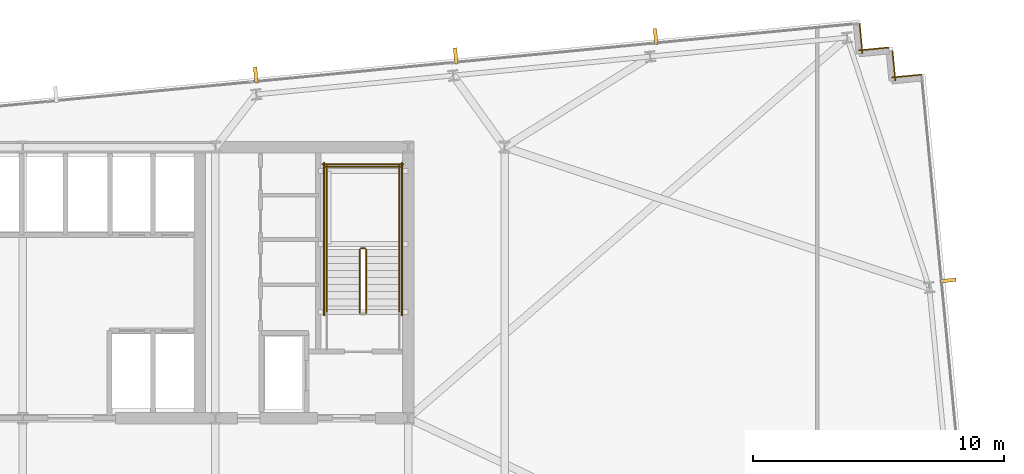
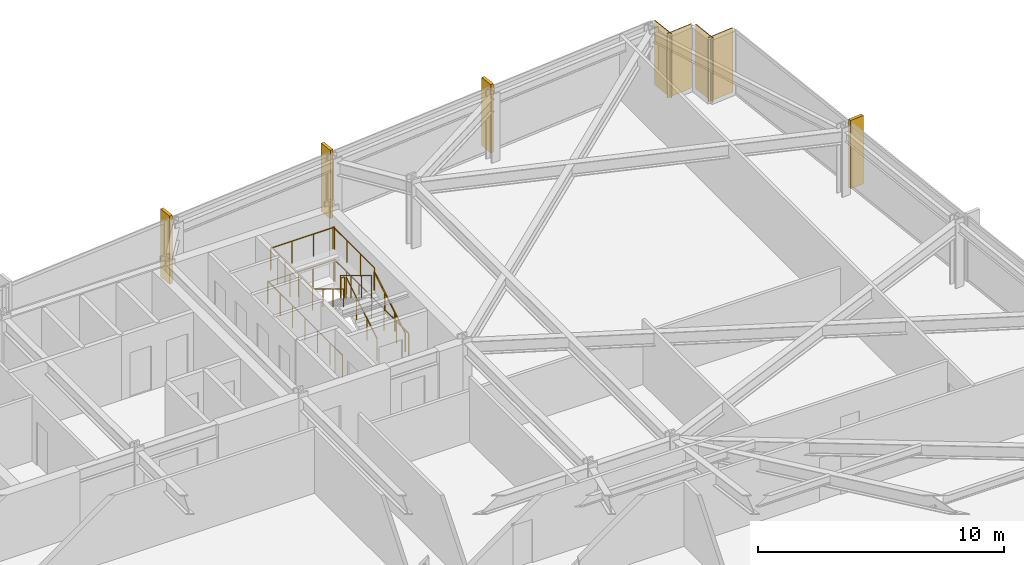
# One storey, part 32 of 32: 11 railings, 4 coverings, 4 shading devices.
"""IFC4 building model written with IfcOpenShell, lengths in metres."""

from ifc_helpers import new_model, si_unit, direction, frame, frame_2d, origin, origin_2d, place, context, subcontext, project, spatial, rectangle, circle, extrude, material, layer, layer_set, type_object, element, save


model = new_model("IFC4")

# Units and contexts
model_context = context("Model", 3, precision=1e-05, world=origin(), true_north=direction((0.0, 1.0)))
body_context = subcontext(model_context, "Body", "Model", "MODEL_VIEW")
ifc_project = project(units=[si_unit("LENGTHUNIT", "METRE"), si_unit("AREAUNIT", "SQUARE_METRE"), si_unit("VOLUMEUNIT", "CUBIC_METRE"), si_unit("PLANEANGLEUNIT", "RADIAN"), si_unit("MASSUNIT", "GRAM", prefix="KILO")], contexts=[model_context])

# Site, building, storey
site_placement = place(None, origin())
site = spatial("IfcSite", under=ifc_project, at=site_placement, CompositionType="ELEMENT")
building_placement = place(site_placement, origin())
building = spatial("IfcBuilding", under=site, at=building_placement, Name="Yelkora Congress Tower", CompositionType="ELEMENT")
storey_placement = place(building_placement, frame((0.0, 0.0, 103.300048828125)))
storey = spatial("IfcBuildingStorey", under=building, at=storey_placement, Name="L27", CompositionType="ELEMENT", Elevation=103.300048828125)

# Coverings
ifc_material_1 = material(Name="Anatolian bush-hammered limestone", Category="masonry")
ifc_layer_1 = layer(ifc_material_1, 0.0400390625)
ifc_layer_set_1 = layer_set([ifc_layer_1], Name="Anatolian bush-hammered limestone")
covering_type = type_object("IfcCoveringType", Name="COV-CLAD-SPANDREL-40", PredefinedType="CLADDING", material=ifc_layer_set_1)
for number, where, z_axis, x_axis, name in (
    (1, (71.74609375, 51.1279296875, 0.0), (0.0, 0.0, 1.0), (0.095817067274, -0.995398960025, 0.0), "L27 Anatolian Limestone Cladding EW-L27-SR11"),
    (2, (71.7138671875, 50.0546875, 0.0), (0.0, 0.0, 1.0), (0.995379537303, 0.096018626938, 0.0), "L27 Anatolian Limestone Cladding EW-L27-SR12"),
):
    element("IfcCovering", number, at=place(storey_placement, frame(where, z_axis=z_axis, x_axis=x_axis)), inside=storey, type_object=covering_type, Name=name, PredefinedType="CLADDING", context=body_context, shape_type="SweptSolid", body=[
        extrude(rectangle(XDim=1.2001953125, YDim=0.0400390625, at=frame_2d((0.60009765625, 0.0))), origin(), (0.0, 0.0, 1.0), 3.179931640625),
    ])
covering_1_placement = place(storey_placement, frame((73.0556640625, 50.04833984375, 0.0), z_axis=(0.0, 0.0, 1.0), x_axis=(0.095836473879, -0.995397091755, 0.0)))
element("IfcCovering", 3, at=covering_1_placement, inside=storey, type_object=covering_type, Name="L27 Anatolian Limestone Cladding EW-L27-SR13", PredefinedType="CLADDING", context=body_context, shape_type="SweptSolid", body=[
    extrude(rectangle(XDim=1.199951171875, YDim=0.0400390625, at=frame_2d((0.60009765625, 0.0))), origin(), (0.0, 0.0, 1.0), 3.179931640625),
])
covering_2_placement = place(storey_placement, frame((73.0234375, 48.975341796875, 0.0), z_axis=(0.0, 0.0, 1.0), x_axis=(0.995398960025, 0.095817067274, 0.0)))
element("IfcCovering", 4, at=covering_2_placement, inside=storey, type_object=covering_type, Name="L27 Anatolian Limestone Cladding EW-L27-SR14", PredefinedType="CLADDING", context=body_context, shape_type="SweptSolid", body=[
    extrude(rectangle(XDim=1.2001953125, YDim=0.0400390625, at=frame_2d((0.60009765625, 0.0))), origin(), (0.0, 0.0, 1.0), 3.179931640625),
])

# Railings
ifc_material_2 = material(Name="Painted galvanised steel stair well guard with vertical infill", Category="steel")
ifc_layer_2 = layer(ifc_material_2, 0.06005859375)
ifc_layer_set_2 = layer_set([ifc_layer_2], Name="Painted galvanised steel stair well guard with vertical infill")
railing_type_1 = type_object("IfcRailingType", Name="RAIL-STAIR-GUARD-1120", PredefinedType="GUARDRAIL", material=ifc_layer_set_2)
railing_1_placement = place(storey_placement, frame((52.090087890625, 39.60009765625, 0.169921875)))
element("IfcRailing", 5, at=railing_1_placement, inside=storey, type_object=railing_type_1, Name="ST-02 L27 Stair Well Guardrail 1", PredefinedType="GUARDRAIL", context=body_context, shape_type="SweptSolid", body=[
    extrude(circle(Radius=0.02392578125, at=origin_2d()), frame((0.0, 0.0, 1.09619140625), z_axis=(0.0, 0.85478489116, 0.518982456201), x_axis=(-1.0, 0.0, 0.0)), (0.0, 0.0, 1.0), 2.9482421875),
    extrude(circle(Radius=0.02099609375, at=origin_2d()), origin(), (0.0, 0.0, 1.0), 1.072021484375),
    extrude(circle(Radius=0.02099609375, at=origin_2d()), frame((0.0, 0.840087890625, 0.510009765625)), (0.0, 0.0, 1.0), 1.072021484375),
    extrude(circle(Radius=0.02099609375, at=origin_2d()), frame((0.0, 1.679931640625, 1.02001953125)), (0.0, 0.0, 1.0), 1.072021484375),
    extrude(circle(Radius=0.02099609375, at=origin_2d()), frame((0.0, 2.52001953125, 1.530029296875)), (0.0, 0.0, 1.0), 1.072021484375),
])
railing_2_placement = place(storey_placement, frame((52.0400390625, 42.169921875, 1.699951171875)))
element("IfcRailing", 6, at=railing_2_placement, inside=storey, type_object=railing_type_1, Name="ST-02 L27 Stair Well Guardrail 2", PredefinedType="GUARDRAIL", context=body_context, shape_type="SweptSolid", body=[
    extrude(circle(Radius=0.02392578125, at=origin_2d()), frame((0.0, 0.0, 1.09619140625), z_axis=(-1.0, 0.0, 0.0), x_axis=(0.0, -1.0, 0.0)), (0.0, 0.0, 1.0), 0.16015625),
    extrude(circle(Radius=0.02099609375, at=origin_2d()), origin(), (0.0, 0.0, 1.0), 1.072021484375),
    extrude(circle(Radius=0.02099609375, at=origin_2d()), frame((-0.16015625, 0.0, 0.0)), (0.0, 0.0, 1.0), 1.072021484375),
])
for number, where, name in (
    (7, (53.409912109375, 42.1201171875, 1.699951171875), "ST-02 L27 Stair Well Guardrail 3"),
    (8, (50.510009765625, 42.1201171875, 1.699951171875), "ST-02 L27 Stair Well Guardrail 4"),
):
    element("IfcRailing", number, at=place(storey_placement, frame(where)), inside=storey, type_object=railing_type_1, Name=name, PredefinedType="GUARDRAIL", context=body_context, shape_type="SweptSolid", body=[
        extrude(circle(Radius=0.02392578125, at=origin_2d()), frame((0.0, 0.0, 1.09619140625), z_axis=(0.0, 1.0, 0.0), x_axis=(-1.0, 0.0, 0.0)), (0.0, 0.0, 1.0), 3.349853515625),
        extrude(circle(Radius=0.02099609375, at=origin_2d()), origin(), (0.0, 0.0, 1.0), 1.072021484375),
        extrude(circle(Radius=0.02099609375, at=origin_2d()), frame((0.0, 1.11669921875, 0.0)), (0.0, 0.0, 1.0), 1.072021484375),
        extrude(circle(Radius=0.02099609375, at=origin_2d()), frame((0.0, 2.233154296875, 0.0)), (0.0, 0.0, 1.0), 1.072021484375),
        extrude(circle(Radius=0.02099609375, at=origin_2d()), frame((0.0, 3.349853515625, 0.0)), (0.0, 0.0, 1.0), 1.072021484375),
    ])
railing_3_placement = place(storey_placement, frame((53.4599609375, 45.419921875, 1.699951171875)))
element("IfcRailing", 9, at=railing_3_placement, inside=storey, type_object=railing_type_1, Name="ST-02 L27 Stair Well Guardrail 5", PredefinedType="GUARDRAIL", context=body_context, shape_type="SweptSolid", body=[
    extrude(circle(Radius=0.02392578125, at=origin_2d()), frame((0.0, 0.0, 1.09619140625), z_axis=(-1.0, 0.0, 0.0), x_axis=(0.0, -1.0, 0.0)), (0.0, 0.0, 1.0), 3.0),
    extrude(circle(Radius=0.02099609375, at=origin_2d()), origin(), (0.0, 0.0, 1.0), 1.072021484375),
    extrude(circle(Radius=0.02099609375, at=origin_2d()), frame((-1.0, 0.0, 0.0)), (0.0, 0.0, 1.0), 1.072021484375),
    extrude(circle(Radius=0.02099609375, at=origin_2d()), frame((-2.0, 0.0, 0.0)), (0.0, 0.0, 1.0), 1.072021484375),
    extrude(circle(Radius=0.02099609375, at=origin_2d()), frame((-3.0, 0.0, 0.0)), (0.0, 0.0, 1.0), 1.072021484375),
])
railing_4_placement = place(storey_placement, frame((51.830078125, 42.1201171875, 1.869873046875)))
element("IfcRailing", 10, at=railing_4_placement, inside=storey, type_object=railing_type_1, Name="ST-02 L27 Stair Well Guardrail 6", PredefinedType="GUARDRAIL", context=body_context, shape_type="SweptSolid", body=[
    extrude(circle(Radius=0.02392578125, at=origin_2d()), frame((0.0, 0.0, 1.09619140625), z_axis=(0.0, -0.85478489116, 0.518982456201), x_axis=(1.0, 0.0, 0.0)), (0.0, 0.0, 1.0), 2.9482421875),
    extrude(circle(Radius=0.02099609375, at=origin_2d()), origin(), (0.0, 0.0, 1.0), 1.072021484375),
    extrude(circle(Radius=0.02099609375, at=origin_2d()), frame((0.0, -0.840087890625, 0.510009765625)), (0.0, 0.0, 1.0), 1.072021484375),
    extrude(circle(Radius=0.02099609375, at=origin_2d()), frame((0.0, -1.679931640625, 1.02001953125)), (0.0, 0.0, 1.0), 1.072021484375),
    extrude(circle(Radius=0.02099609375, at=origin_2d()), frame((0.0, -2.52001953125, 1.530029296875)), (0.0, 0.0, 1.0), 1.072021484375),
])
for number, where, name in (
    (11, (53.510009765625, 39.5, 0.0), "ST-02 L27 Stair Well Guardrail 10"),
    (12, (50.409912109375, 39.5, 0.0), "ST-02 L27 Stair Well Guardrail 11"),
):
    element("IfcRailing", number, at=place(storey_placement, frame(where)), inside=storey, type_object=railing_type_1, Name=name, PredefinedType="GUARDRAIL", context=body_context, shape_type="SweptSolid", body=[
        extrude(circle(Radius=0.02392578125, at=origin_2d()), frame((0.0, 0.0, 1.09619140625), z_axis=(0.0, 1.0, 0.0), x_axis=(-1.0, 0.0, 0.0)), (0.0, 0.0, 1.0), 6.070068359375),
        extrude(circle(Radius=0.02099609375, at=origin_2d()), origin(), (0.0, 0.0, 1.0), 1.072021484375),
        extrude(circle(Radius=0.02099609375, at=origin_2d()), frame((0.0, 1.01171875, 0.0)), (0.0, 0.0, 1.0), 1.072021484375),
        extrude(circle(Radius=0.02099609375, at=origin_2d()), frame((0.0, 2.0234375, 0.0)), (0.0, 0.0, 1.0), 1.072021484375),
        extrude(circle(Radius=0.02099609375, at=origin_2d()), frame((0.0, 3.03515625, 0.0)), (0.0, 0.0, 1.0), 1.072021484375),
        extrude(circle(Radius=0.02099609375, at=origin_2d()), frame((0.0, 4.046630859375, 0.0)), (0.0, 0.0, 1.0), 1.072021484375),
        extrude(circle(Radius=0.02099609375, at=origin_2d()), frame((0.0, 5.058349609375, 0.0)), (0.0, 0.0, 1.0), 1.072021484375),
        extrude(circle(Radius=0.02099609375, at=origin_2d()), frame((0.0, 6.070068359375, 0.0)), (0.0, 0.0, 1.0), 1.072021484375),
    ])
railing_5_placement = place(storey_placement, frame((53.56005859375, 45.52001953125, 0.0)))
element("IfcRailing", 13, at=railing_5_placement, inside=storey, type_object=railing_type_1, Name="ST-02 L27 Stair Well Guardrail 12", PredefinedType="GUARDRAIL", context=body_context, shape_type="SweptSolid", body=[
    extrude(circle(Radius=0.02392578125, at=origin_2d()), frame((0.0, 0.0, 1.09619140625), z_axis=(-1.0, 0.0, 0.0), x_axis=(0.0, -1.0, 0.0)), (0.0, 0.0, 1.0), 3.199951171875),
    extrude(circle(Radius=0.02099609375, at=origin_2d()), origin(), (0.0, 0.0, 1.0), 1.072021484375),
    extrude(circle(Radius=0.02099609375, at=origin_2d()), frame((-1.066650390625, 0.0, 0.0)), (0.0, 0.0, 1.0), 1.072021484375),
    extrude(circle(Radius=0.02099609375, at=origin_2d()), frame((-2.13330078125, 0.0, 0.0)), (0.0, 0.0, 1.0), 1.072021484375),
    extrude(circle(Radius=0.02099609375, at=origin_2d()), frame((-3.199951171875, 0.0, 0.0)), (0.0, 0.0, 1.0), 1.072021484375),
])
ifc_material_3 = material(Name="Brushed stainless steel tubular handrail", Category="steel")
ifc_layer_3 = layer(ifc_material_3, 0.050048828125)
ifc_layer_set_3 = layer_set([ifc_layer_3], Name="Brushed stainless steel tubular handrail")
railing_type_2 = type_object("IfcRailingType", Name="RAIL-STAIR-HAND-920", PredefinedType="HANDRAIL", material=ifc_layer_set_3)
railing_6_placement = place(storey_placement, frame((53.409912109375, 39.60009765625, 0.169921875)))
element("IfcRailing", 14, at=railing_6_placement, inside=storey, type_object=railing_type_2, Name="ST-02 L27 Pitch Handrail 1", PredefinedType="HANDRAIL", context=body_context, shape_type="SweptSolid", body=[
    extrude(circle(Radius=0.02392578125, at=origin_2d()), frame((0.0, 0.0, 0.89599609375), z_axis=(0.0, 0.85478489116, 0.518982456201), x_axis=(-1.0, 0.0, 0.0)), (0.0, 0.0, 1.0), 2.9482421875),
    extrude(circle(Radius=0.02099609375, at=origin_2d()), origin(), (0.0, 0.0, 1.0), 0.871826171875),
    extrude(circle(Radius=0.02099609375, at=origin_2d()), frame((0.0, 0.840087890625, 0.510009765625)), (0.0, 0.0, 1.0), 0.871826171875),
    extrude(circle(Radius=0.02099609375, at=origin_2d()), frame((0.0, 1.679931640625, 1.02001953125)), (0.0, 0.0, 1.0), 0.871826171875),
    extrude(circle(Radius=0.02099609375, at=origin_2d()), frame((0.0, 2.52001953125, 1.530029296875)), (0.0, 0.0, 1.0), 0.871826171875),
])
railing_7_placement = place(storey_placement, frame((50.510009765625, 42.1201171875, 1.869873046875)))
element("IfcRailing", 15, at=railing_7_placement, inside=storey, type_object=railing_type_2, Name="ST-02 L27 Pitch Handrail 2", PredefinedType="HANDRAIL", context=body_context, shape_type="SweptSolid", body=[
    extrude(circle(Radius=0.02392578125, at=origin_2d()), frame((0.0, 0.0, 0.89599609375), z_axis=(0.0, -0.85478489116, 0.518982456201), x_axis=(1.0, 0.0, 0.0)), (0.0, 0.0, 1.0), 2.9482421875),
    extrude(circle(Radius=0.02099609375, at=origin_2d()), origin(), (0.0, 0.0, 1.0), 0.871826171875),
    extrude(circle(Radius=0.02099609375, at=origin_2d()), frame((0.0, -0.840087890625, 0.510009765625)), (0.0, 0.0, 1.0), 0.871826171875),
    extrude(circle(Radius=0.02099609375, at=origin_2d()), frame((0.0, -1.679931640625, 1.02001953125)), (0.0, 0.0, 1.0), 0.871826171875),
    extrude(circle(Radius=0.02099609375, at=origin_2d()), frame((0.0, -2.52001953125, 1.530029296875)), (0.0, 0.0, 1.0), 0.871826171875),
])

# Shading devices
ifc_material_4 = material(Name="Champagne anodised aluminium", Category="aluminium")
ifc_layer_4 = layer(ifc_material_4, 3.39990234375)
ifc_layer_set_4 = layer_set([ifc_layer_4], Name="Champagne anodised aluminium")
shading_device_type = type_object("IfcShadingDeviceType", Name="SHD-FIN-ALU-640", PredefinedType="USERDEFINED", material=ifc_layer_set_4)
for number, where, z_axis, x_axis, name in (
    (16, (47.68896484375, 49.072509765625, -0.030029296875), (0.0, 0.0, 1.0), (0.995396198367, 0.09584575252, 0.0), "L27 Vertical Anodised Solar Fin 10-4"),
    (17, (55.65478515625, 49.839599609375, -0.030029296875), (0.0, 0.0, 1.0), (0.995396198367, 0.09584575252, 0.0), "L27 Vertical Anodised Solar Fin 10-5"),
    (18, (63.620849609375, 50.606689453125, -0.030029296875), (0.0, 0.0, 1.0), (0.995396198367, 0.09584575252, 0.0), "L27 Vertical Anodised Solar Fin 10-6"),
    (19, (75.268798828125, 40.888427734375, -0.030029296875), (0.0, 0.0, 1.0), (0.09584575252, -0.995396198367, 0.0), "L27 Vertical Anodised Solar Fin 15-1"),
):
    element("IfcShadingDevice", number, at=place(storey_placement, frame(where, z_axis=z_axis, x_axis=x_axis)), inside=storey, type_object=shading_device_type, Name=name, ObjectType="FIN", PredefinedType="USERDEFINED", context=body_context, shape_type="SweptSolid", body=[
        extrude(rectangle(XDim=0.139892578125, YDim=0.639892578125, at=origin_2d()), origin(), (0.0, 0.0, 1.0), 3.3798828125),
    ])

save(model, "model.ifc")
